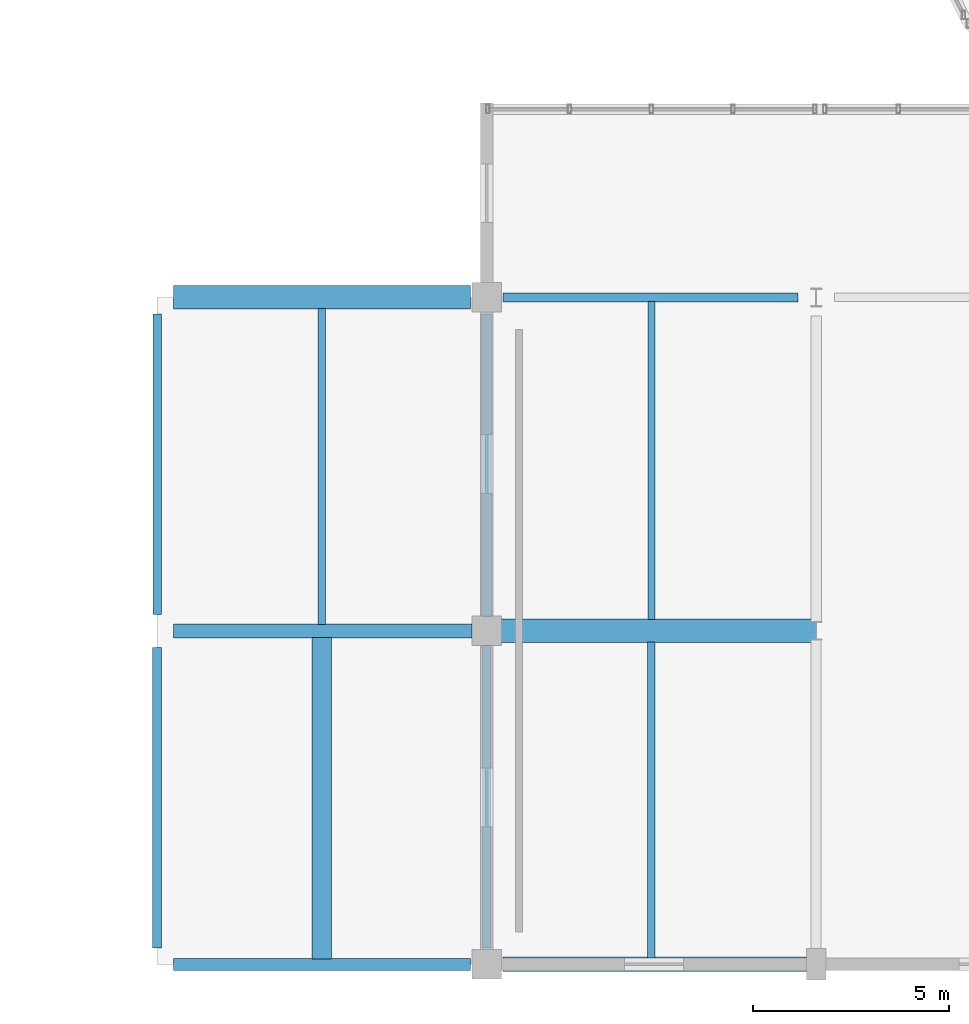
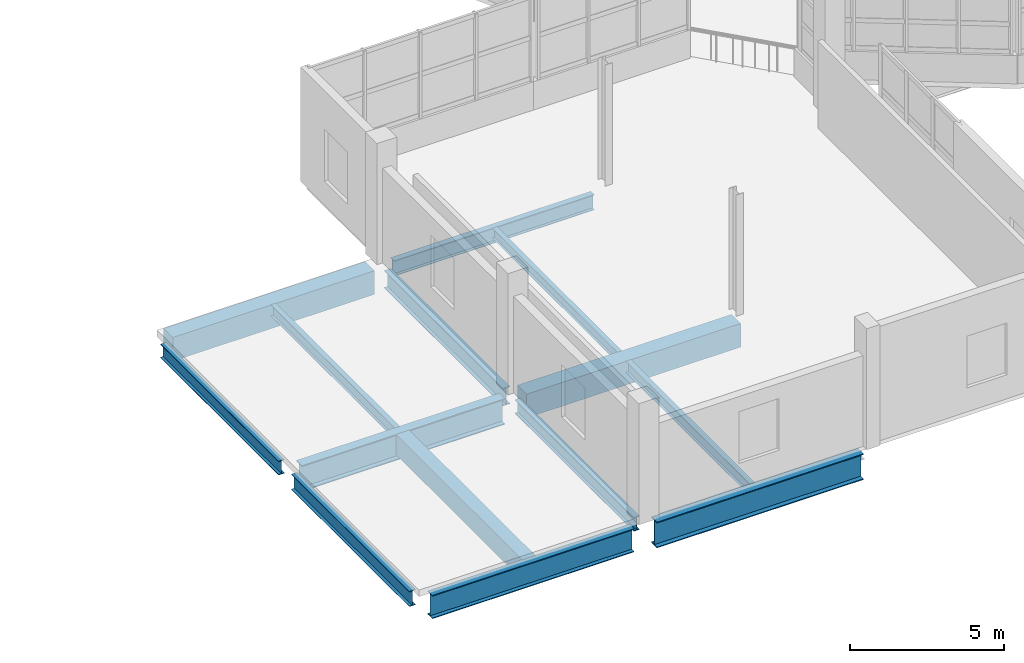
# One storey, part 6 of 117: 14 beams.
"""IFC4 building model written with IfcOpenShell, lengths in metres."""

from ifc_helpers import new_model, si_unit, direction, frame, origin, origin_2d, place, context, subcontext, project, spatial, rectangle, i_section, extrude, material, material_profile, profile_set, type_object, element, save


model = new_model("IFC4")

# Units and contexts
model_context = context("Model", 3, precision=1e-05, world=origin(), true_north=direction((0.0, 1.0)))
body_context = subcontext(model_context, "Body", "Model", "MODEL_VIEW")
ifc_project = project(units=[si_unit("LENGTHUNIT", "METRE"), si_unit("AREAUNIT", "SQUARE_METRE"), si_unit("VOLUMEUNIT", "CUBIC_METRE"), si_unit("PLANEANGLEUNIT", "RADIAN"), si_unit("MASSUNIT", "GRAM", prefix="KILO")], contexts=[model_context])

# Site, building, storey
site_placement = place(None, origin())
site = spatial("IfcSite", under=ifc_project, at=site_placement, CompositionType="ELEMENT")
building_placement = place(site_placement, origin())
building = spatial("IfcBuilding", under=site, at=building_placement, Name="Solvento Point Concert Hall", CompositionType="ELEMENT")
storey_placement = place(building_placement, frame((0.0, 0.0, 5.39990234375)))
storey = spatial("IfcBuildingStorey", under=building, at=storey_placement, Name="L01", CompositionType="ELEMENT", Elevation=5.39990234375)

# Beams
ifc_material_1 = material(Name="Concrete C35/45", Category="concrete")
ifc_material_profile_1 = material_profile(ifc_material_1, rectangle(XDim=0.5, YDim=0.800048828125, at=origin_2d()), Name="RC-BM-500X800")
ifc_profile_set_1 = profile_set([ifc_material_profile_1], Name="Concrete C35/45")
beam_type_1 = type_object("IfcBeamType", Name="Beam_RC_500x800", PredefinedType="BEAM", material=ifc_profile_set_1)
beam_1_placement = place(storey_placement, frame((19.800048828125, 0.138671875, -0.663818359375), z_axis=(0.0, 1.0, 0.0), x_axis=(-1.0, 0.0, 0.0)))
element("IfcBeam", 1, at=beam_1_placement, inside=storey, type_object=beam_type_1, Name="Secondary floor joist B-63 L01", PredefinedType="BEAM", context=body_context, shape_type="SweptSolid", body=[
    extrude(rectangle(XDim=0.5, YDim=0.800048828125, at=origin_2d()), origin(), (0.0, 0.0, 1.0), 8.19580078125),
])
ifc_material_2 = material(Name="Structural Steel ASTM A992 Grade 50", Category="steel")
ifc_material_profile_2 = material_profile(ifc_material_2, i_section(OverallWidth=0.214111328125, OverallDepth=0.549072265625, WebThickness=0.0146484375, FlangeThickness=0.023681640625, at=origin_2d()), Name="W21X93")
ifc_profile_set_2 = profile_set([ifc_material_profile_2], Name="Structural Steel ASTM A992 Grade 50")
beam_type_2 = type_object("IfcBeamType", Name="Beam_W21X93", PredefinedType="BEAM", material=ifc_profile_set_2)
beam_2_placement = place(storey_placement, frame((15.60009765625, 8.9189453125, -0.538330078125), z_axis=(0.0, 1.0, 0.0), x_axis=(-1.0, 0.0, 0.0)))
element("IfcBeam", 2, at=beam_2_placement, inside=storey, type_object=beam_type_2, Name="Primary girder B-48 L01", PredefinedType="BEAM", context=body_context, shape_type="SweptSolid", body=[
    extrude(i_section(OverallWidth=0.214111328125, OverallDepth=0.549072265625, WebThickness=0.0146484375, FlangeThickness=0.023681640625, at=origin_2d()), origin(), (0.0, 0.0, 1.0), 7.662109375),
])
beam_3_placement = place(storey_placement, frame((24.0, 0.4189453125, -0.558349609375), z_axis=(0.0, 1.0, 0.0), x_axis=(-1.0, 0.0, 0.0)))
element("IfcBeam", 3, at=beam_3_placement, inside=storey, type_object=beam_type_2, Name="Primary girder B-48 L01", PredefinedType="BEAM", context=body_context, shape_type="SweptSolid", body=[
    extrude(i_section(OverallWidth=0.214111328125, OverallDepth=0.549072265625, WebThickness=0.0146484375, FlangeThickness=0.023681640625, at=origin_2d()), origin(), (0.0, 0.0, 1.0), 7.712158203125),
])
ifc_material_3 = material(Name="Structural Steel ASTM A992 Grade 50", Category="steel")
ifc_material_profile_3 = material_profile(ifc_material_3, i_section(OverallWidth=0.228515625, OverallDepth=0.60791015625, WebThickness=0.01123046875, FlangeThickness=0.017333984375, at=origin_2d()), Name="W24X76")
ifc_profile_set_3 = profile_set([ifc_material_profile_3], Name="Structural Steel ASTM A992 Grade 50")
beam_type_3 = type_object("IfcBeamType", Name="Beam_W24X76", PredefinedType="BEAM", material=ifc_profile_set_3)
beam_4_placement = place(storey_placement, frame((24.4189453125, 17.0, -0.587890625), z_axis=(1.0, 0.0, 0.0), x_axis=(0.0, 1.0, 0.0)))
element("IfcBeam", 4, at=beam_4_placement, inside=storey, type_object=beam_type_3, Name="Primary girder B-42 L01", PredefinedType="BEAM", context=body_context, shape_type="SweptSolid", body=[
    extrude(i_section(OverallWidth=0.228515625, OverallDepth=0.60791015625, WebThickness=0.01123046875, FlangeThickness=0.017333984375, at=origin_2d()), origin(), (0.0, 0.0, 1.0), 7.511962890625),
])
beam_5_placement = place(storey_placement, frame((15.60009765625, 0.4189453125, -0.56787109375), z_axis=(0.0, 1.0, 0.0), x_axis=(-1.0, 0.0, 0.0)))
element("IfcBeam", 5, at=beam_5_placement, inside=storey, type_object=beam_type_3, Name="Primary girder B-42 L01", PredefinedType="BEAM", context=body_context, shape_type="SweptSolid", body=[
    extrude(i_section(OverallWidth=0.228515625, OverallDepth=0.60791015625, WebThickness=0.01123046875, FlangeThickness=0.017333984375, at=origin_2d()), origin(), (0.0, 0.0, 1.0), 7.662109375),
])
ifc_material_4 = material(Name="Concrete C35/45", Category="concrete")
ifc_material_profile_4 = material_profile(ifc_material_4, rectangle(XDim=0.60009765625, YDim=0.93994140625, at=origin_2d()), Name="RC-BM-600X940")
ifc_profile_set_4 = profile_set([ifc_material_profile_4], Name="Concrete C35/45")
beam_type_4 = type_object("IfcBeamType", Name="Girder_RC_600x940", PredefinedType="USERDEFINED", material=ifc_profile_set_4)
beam_6_placement = place(storey_placement, frame((24.368896484375, 8.5, -0.75390625), z_axis=(1.0, 0.0, 0.0), x_axis=(0.0, 1.0, 0.0)))
element("IfcBeam", 6, at=beam_6_placement, inside=storey, type_object=beam_type_4, Name="Primary girder B-34 L01", ObjectType="GIRDER", PredefinedType="USERDEFINED", context=body_context, shape_type="SweptSolid", body=[
    extrude(rectangle(XDim=0.60009765625, YDim=0.93994140625, at=origin_2d()), origin(), (0.0, 0.0, 1.0), 8.031005859375),
])
beam_7_placement = place(storey_placement, frame((16.01904296875, 17.0, -0.73388671875), z_axis=(1.0, 0.0, 0.0), x_axis=(0.0, 1.0, 0.0)))
element("IfcBeam", 7, at=beam_7_placement, inside=storey, type_object=beam_type_4, Name="Primary girder B-34 L01", ObjectType="GIRDER", PredefinedType="USERDEFINED", context=body_context, shape_type="SweptSolid", body=[
    extrude(rectangle(XDim=0.60009765625, YDim=0.93994140625, at=origin_2d()), origin(), (0.0, 0.0, 1.0), 7.56201171875),
])
ifc_material_5 = material(Name="Structural Steel ASTM A992 Grade 50", Category="steel")
ifc_material_profile_5 = material_profile(ifc_material_5, i_section(OverallWidth=0.256103515625, OverallDepth=0.693115234375, WebThickness=0.014404296875, FlangeThickness=0.023681640625, at=origin_2d()), Name="W27X114")
ifc_profile_set_5 = profile_set([ifc_material_profile_5], Name="Structural Steel ASTM A992 Grade 50")
beam_type_5 = type_object("IfcBeamType", Name="Girder_W27X114", PredefinedType="USERDEFINED", material=ifc_profile_set_5)
beam_8_placement = place(storey_placement, frame((24.0, 8.868896484375, -0.63037109375), z_axis=(0.0, 1.0, 0.0), x_axis=(-1.0, 0.0, 0.0)))
element("IfcBeam", 8, at=beam_8_placement, inside=storey, type_object=beam_type_5, Name="Primary girder B-23 L01", ObjectType="GIRDER", PredefinedType="USERDEFINED", context=body_context, shape_type="SweptSolid", body=[
    extrude(i_section(OverallWidth=0.256103515625, OverallDepth=0.693115234375, WebThickness=0.014404296875, FlangeThickness=0.023681640625, at=origin_2d()), origin(), (0.0, 0.0, 1.0), 7.712158203125),
])
ifc_material_6 = material(Name="Structural Steel ASTM A992 Grade 50", Category="steel")
ifc_material_profile_6 = material_profile(ifc_material_6, i_section(OverallWidth=0.3076171875, OverallDepth=0.927001953125, WebThickness=0.019287109375, FlangeThickness=0.031982421875, at=origin_2d()), Name="W36X194")
ifc_profile_set_6 = profile_set([ifc_material_profile_6], Name="Structural Steel ASTM A992 Grade 50")
beam_type_6 = type_object("IfcBeamType", Name="Girder_W36X194", PredefinedType="USERDEFINED", material=ifc_profile_set_6)
beam_9_placement = place(storey_placement, frame((16.01904296875, 0.0, -0.727294921875), z_axis=(1.0, 0.0, 0.0), x_axis=(0.0, 1.0, 0.0)))
element("IfcBeam", 9, at=beam_9_placement, inside=storey, type_object=beam_type_6, Name="Primary girder B-61 L01", ObjectType="GIRDER", PredefinedType="USERDEFINED", context=body_context, shape_type="SweptSolid", body=[
    extrude(i_section(OverallWidth=0.3076171875, OverallDepth=0.927001953125, WebThickness=0.019287109375, FlangeThickness=0.031982421875, at=origin_2d()), origin(), (0.0, 0.0, 1.0), 7.56201171875),
])
ifc_material_7 = material(Name="Structural Steel ASTM A992 Grade 50", Category="steel")
ifc_material_profile_7 = material_profile(ifc_material_7, i_section(OverallWidth=0.361083984375, OverallDepth=1.02587890625, WebThickness=0.01904296875, FlangeThickness=0.0361328125, at=origin_2d()), Name="W40X249")
ifc_profile_set_7 = profile_set([ifc_material_profile_7], Name="Structural Steel ASTM A992 Grade 50")
beam_type_7 = type_object("IfcBeamType", Name="Girder_W40X249", PredefinedType="USERDEFINED", material=ifc_profile_set_7)
beam_10_placement = place(storey_placement, frame((24.4189453125, 0.0, -0.796875), z_axis=(1.0, 0.0, 0.0), x_axis=(0.0, 1.0, 0.0)))
element("IfcBeam", 10, at=beam_10_placement, inside=storey, type_object=beam_type_7, Name="Primary girder B-29 L01", ObjectType="GIRDER", PredefinedType="USERDEFINED", context=body_context, shape_type="SweptSolid", body=[
    extrude(i_section(OverallWidth=0.361083984375, OverallDepth=1.02587890625, WebThickness=0.01904296875, FlangeThickness=0.0361328125, at=origin_2d()), origin(), (0.0, 0.0, 1.0), 7.737060546875),
])
beam_11_placement = place(storey_placement, frame((16.01904296875, 8.5, -0.77685546875), z_axis=(1.0, 0.0, 0.0), x_axis=(0.0, 1.0, 0.0)))
element("IfcBeam", 11, at=beam_11_placement, inside=storey, type_object=beam_type_7, Name="Primary girder B-29 L01", ObjectType="GIRDER", PredefinedType="USERDEFINED", context=body_context, shape_type="SweptSolid", body=[
    extrude(i_section(OverallWidth=0.361083984375, OverallDepth=1.02587890625, WebThickness=0.01904296875, FlangeThickness=0.0361328125, at=origin_2d()), origin(), (0.0, 0.0, 1.0), 7.612060546875),
])
ifc_material_8 = material(Name="Structural Steel ASTM A992 Grade 50", Category="steel")
ifc_material_profile_8 = material_profile(ifc_material_8, i_section(OverallWidth=0.177490234375, OverallDepth=0.403076171875, WebThickness=0.007568359375, FlangeThickness=0.010986328125, at=origin_2d()), Name="W16X36")
ifc_profile_set_8 = profile_set([ifc_material_profile_8], Name="Structural Steel ASTM A992 Grade 50")
beam_type_8 = type_object("IfcBeamType", Name="Joist_W16X36", PredefinedType="JOIST", material=ifc_profile_set_8)
beam_12_placement = place(storey_placement, frame((28.199951171875, 8.784912109375, -0.4853515625), z_axis=(0.0, 1.0, 0.0), x_axis=(-1.0, 0.0, 0.0)))
element("IfcBeam", 12, at=beam_12_placement, inside=storey, type_object=beam_type_8, Name="Secondary floor joist B-30 L01", PredefinedType="JOIST", context=body_context, shape_type="SweptSolid", body=[
    extrude(i_section(OverallWidth=0.177490234375, OverallDepth=0.403076171875, WebThickness=0.007568359375, FlangeThickness=0.010986328125, at=origin_2d()), origin(), (0.0, 0.0, 1.0), 8.115966796875),
])
ifc_material_9 = material(Name="Structural Steel ASTM A992 Grade 50", Category="steel")
ifc_material_profile_9 = material_profile(ifc_material_9, i_section(OverallWidth=0.1904296875, OverallDepth=0.45703125, WebThickness=0.009033203125, FlangeThickness=0.014404296875, at=origin_2d()), Name="W18X50")
ifc_profile_set_9 = profile_set([ifc_material_profile_9], Name="Structural Steel ASTM A992 Grade 50")
beam_type_9 = type_object("IfcBeamType", Name="Joist_W18X50", PredefinedType="JOIST", material=ifc_profile_set_9)
for number, where, z_axis, x_axis, name in (
    (13, (19.800048828125, 8.66552734375, -0.492431640625), (0.0, 1.0, 0.0), (-1.0, 0.0, 0.0), "Secondary floor joist B-66 L01"),
    (14, (28.199951171875, 0.16552734375, -0.512451171875), (0.0, 1.0, 0.0), (-1.0, 0.0, 0.0), "Secondary floor joist B-66 L01"),
):
    element("IfcBeam", number, at=place(storey_placement, frame(where, z_axis=z_axis, x_axis=x_axis)), inside=storey, type_object=beam_type_9, Name=name, PredefinedType="JOIST", context=body_context, shape_type="SweptSolid", body=[
        extrude(i_section(OverallWidth=0.1904296875, OverallDepth=0.45703125, WebThickness=0.009033203125, FlangeThickness=0.014404296875, at=origin_2d()), origin(), (0.0, 0.0, 1.0), 8.049560546875),
    ])

save(model, "model.ifc")
